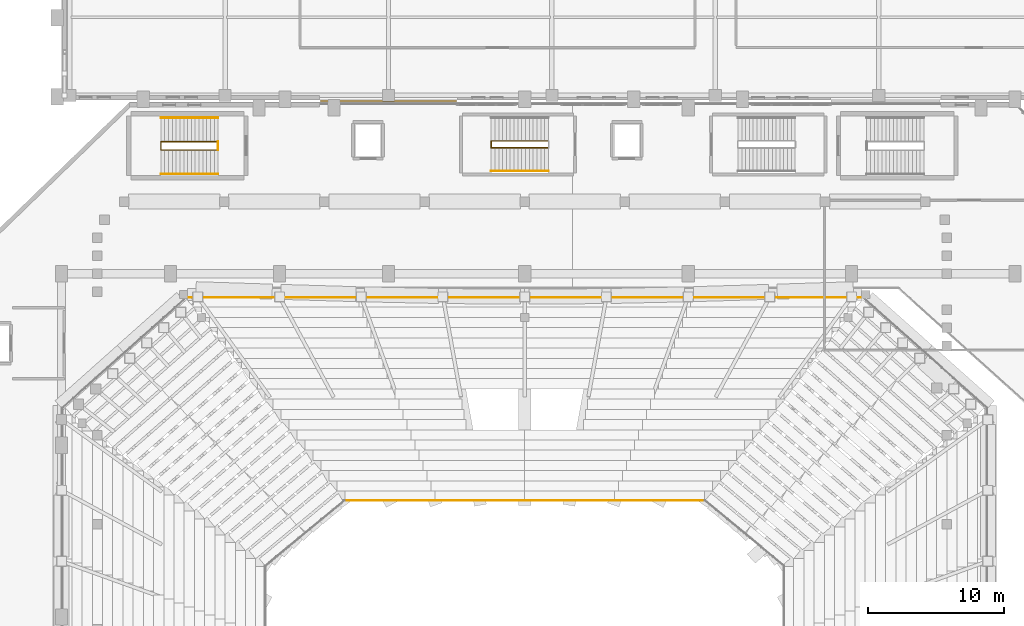
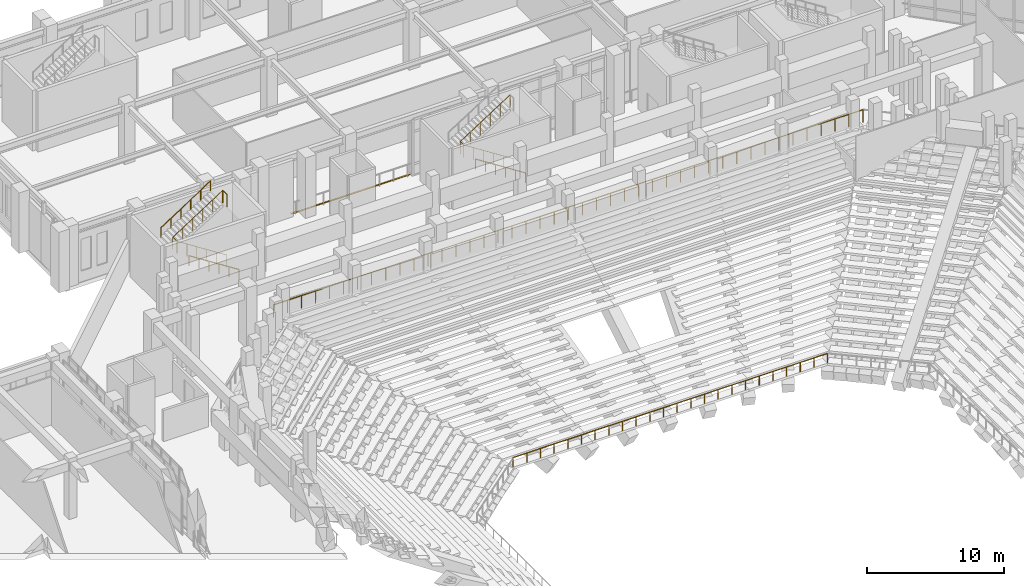
# One storey, part 150 of 159: 8 railings, 1 covering.
"""IFC4 building model written with IfcOpenShell, lengths in metres."""

from ifc_helpers import new_model, si_unit, derived_unit, direction, frame, origin, origin_2d, place, context, subcontext, project, spatial, polyline, circle, outline, extrude, material, layer, layer_set, type_object, element, save


model = new_model("IFC4")

# Units and contexts
model_context = context("Model", 3, precision=1e-05, world=origin(), true_north=direction((0.0, 1.0)))
body_context = subcontext(model_context, "Body", "Model", "MODEL_VIEW")
ifc_project = project(units=[si_unit("LENGTHUNIT", "METRE"), si_unit("AREAUNIT", "SQUARE_METRE"), si_unit("VOLUMEUNIT", "CUBIC_METRE"), si_unit("PLANEANGLEUNIT", "RADIAN"), si_unit("MASSUNIT", "GRAM", prefix="KILO"), derived_unit("THERMALTRANSMITTANCEUNIT", [(si_unit("MASSUNIT", "GRAM", prefix="KILO"), 1), (si_unit("TIMEUNIT", "SECOND"), -3), (si_unit("THERMODYNAMICTEMPERATUREUNIT", "KELVIN"), -1)])], contexts=[model_context])

# Site, building, storey
site_placement = place(None, origin())
site = spatial("IfcSite", under=ifc_project, at=site_placement, CompositionType="ELEMENT")
building_placement = place(site_placement, origin())
building = spatial("IfcBuilding", under=site, at=building_placement, Name="Valcora Ridge Arena", CompositionType="ELEMENT")
storey_placement = place(building_placement, frame((0.0, 0.0, 6.0)))
storey = spatial("IfcBuildingStorey", under=building, at=storey_placement, Name="L01", CompositionType="ELEMENT", Elevation=6.0)

# Covering
ifc_material_1 = material(Name="Steel ASTM A572 Grade 50", Category="steel")
ifc_layer = layer(ifc_material_1, 0.02001953125, Name="Steel ASTM A572 Grade 50")
ifc_layer_set = layer_set([ifc_layer], Name="Steel ASTM A572 Grade 50")
covering_type = type_object("IfcCoveringType", Name="TY-COVERING-COV-SJ-150", PredefinedType="FLOORING", material=ifc_layer_set)
covering_placement = place(storey_placement, frame((0.0, 0.0, -0.02001953125)))
element("IfcCovering", 1, at=covering_placement, inside=storey, type_object=covering_type, Name="COV-SJ-150 COV-SJ-0015", PredefinedType="FLOORING", context=body_context, shape_type="SweptSolid", body=[
    extrude(outline(polyline([(43.0, 108.199951171875), (53.0, 108.199951171875), (53.0, 108.35009765625), (43.0, 108.35009765625), (43.0, 108.199951171875)])), origin(), (0.0, 0.0, 1.0), 0.02001953125),
])

# Railings
ifc_material_2 = material(Name="Galvanized painted steel ASTM A500 Grade B", Category="steel")
railing_type_1 = type_object("IfcRailingType", Name="TY-RAILING-BAL-BOWL-850", PredefinedType="BALUSTRADE", material=ifc_material_2)
railing_1_placement = place(storey_placement, frame((71.25, 78.949951171875, -5.39990234375)))
element("IfcRailing", 2, at=railing_1_placement, inside=storey, type_object=railing_type_1, Name="BAL-BOWL-850 RAL-BW-0005", PredefinedType="BALUSTRADE", context=body_context, shape_type="SweptSolid", body=[
    extrude(circle(Radius=0.02392578125, at=origin_2d()), frame((0.0, 0.0, 0.826171875), z_axis=(-1.0, 0.0, 0.0), x_axis=(0.0, -1.0, 0.0)), (0.0, 0.0, 1.0), 26.5),
    extrude(circle(Radius=0.02099609375, at=origin_2d()), origin(), (0.0, 0.0, 1.0), 0.802001953125),
    extrude(circle(Radius=0.02099609375, at=origin_2d()), frame((-1.152099609375, 0.0, 0.0)), (0.0, 0.0, 1.0), 0.802001953125),
    extrude(circle(Radius=0.02099609375, at=origin_2d()), frame((-2.304443359375, 0.0, 0.0)), (0.0, 0.0, 1.0), 0.802001953125),
    extrude(circle(Radius=0.02099609375, at=origin_2d()), frame((-3.45654296875, 0.0, 0.0)), (0.0, 0.0, 1.0), 0.802001953125),
    extrude(circle(Radius=0.02099609375, at=origin_2d()), frame((-4.608642578125, 0.0, 0.0)), (0.0, 0.0, 1.0), 0.802001953125),
    extrude(circle(Radius=0.02099609375, at=origin_2d()), frame((-5.760986328125, 0.0, 0.0)), (0.0, 0.0, 1.0), 0.802001953125),
    extrude(circle(Radius=0.02099609375, at=origin_2d()), frame((-6.9130859375, 0.0, 0.0)), (0.0, 0.0, 1.0), 0.802001953125),
    extrude(circle(Radius=0.02099609375, at=origin_2d()), frame((-8.065185546875, 0.0, 0.0)), (0.0, 0.0, 1.0), 0.802001953125),
    extrude(circle(Radius=0.02099609375, at=origin_2d()), frame((-9.21728515625, 0.0, 0.0)), (0.0, 0.0, 1.0), 0.802001953125),
    extrude(circle(Radius=0.02099609375, at=origin_2d()), frame((-10.36962890625, 0.0, 0.0)), (0.0, 0.0, 1.0), 0.802001953125),
    extrude(circle(Radius=0.02099609375, at=origin_2d()), frame((-11.521728515625, 0.0, 0.0)), (0.0, 0.0, 1.0), 0.802001953125),
    extrude(circle(Radius=0.02099609375, at=origin_2d()), frame((-12.673828125, 0.0, 0.0)), (0.0, 0.0, 1.0), 0.802001953125),
    extrude(circle(Radius=0.02099609375, at=origin_2d()), frame((-13.826171875, 0.0, 0.0)), (0.0, 0.0, 1.0), 0.802001953125),
    extrude(circle(Radius=0.02099609375, at=origin_2d()), frame((-14.978271484375, 0.0, 0.0)), (0.0, 0.0, 1.0), 0.802001953125),
    extrude(circle(Radius=0.02099609375, at=origin_2d()), frame((-16.13037109375, 0.0, 0.0)), (0.0, 0.0, 1.0), 0.802001953125),
    extrude(circle(Radius=0.02099609375, at=origin_2d()), frame((-17.28271484375, 0.0, 0.0)), (0.0, 0.0, 1.0), 0.802001953125),
    extrude(circle(Radius=0.02099609375, at=origin_2d()), frame((-18.434814453125, 0.0, 0.0)), (0.0, 0.0, 1.0), 0.802001953125),
    extrude(circle(Radius=0.02099609375, at=origin_2d()), frame((-19.5869140625, 0.0, 0.0)), (0.0, 0.0, 1.0), 0.802001953125),
    extrude(circle(Radius=0.02099609375, at=origin_2d()), frame((-20.739013671875, 0.0, 0.0)), (0.0, 0.0, 1.0), 0.802001953125),
    extrude(circle(Radius=0.02099609375, at=origin_2d()), frame((-21.891357421875, 0.0, 0.0)), (0.0, 0.0, 1.0), 0.802001953125),
    extrude(circle(Radius=0.02099609375, at=origin_2d()), frame((-23.04345703125, 0.0, 0.0)), (0.0, 0.0, 1.0), 0.802001953125),
    extrude(circle(Radius=0.02099609375, at=origin_2d()), frame((-24.195556640625, 0.0, 0.0)), (0.0, 0.0, 1.0), 0.802001953125),
    extrude(circle(Radius=0.02099609375, at=origin_2d()), frame((-25.347900390625, 0.0, 0.0)), (0.0, 0.0, 1.0), 0.802001953125),
    extrude(circle(Radius=0.02099609375, at=origin_2d()), frame((-26.5, 0.0, 0.0)), (0.0, 0.0, 1.0), 0.802001953125),
])
railing_type_2 = type_object("IfcRailingType", Name="TY-RAILING-GRD-STAIR-1120", PredefinedType="GUARDRAIL", material=ifc_material_2)
railing_2_placement = place(storey_placement, frame((35.489990234375, 104.699951171875, 0.0)))
element("IfcRailing", 3, at=railing_2_placement, inside=storey, type_object=railing_type_2, Name="GRD-STAIR-1120 RAL-SG-0027", PredefinedType="GUARDRAIL", context=body_context, shape_type="SweptSolid", body=[
    extrude(circle(Radius=0.02392578125, at=origin_2d()), frame((0.0, 0.0, 1.09619140625), z_axis=(-0.841180064094, 0.0, 0.540755119968), x_axis=(0.0, -1.0, 0.0)), (0.0, 0.0, 1.0), 4.992919921875),
    extrude(circle(Radius=0.02392578125, at=origin_2d()), frame((-4.199951171875, 0.0, 3.7958984375), z_axis=(0.0, 1.0, 0.0), x_axis=(-1.0, 0.0, 0.0)), (0.0, 0.0, 1.0), 0.60009765625),
    extrude(circle(Radius=0.02392578125, at=origin_2d()), frame((-4.199951171875, 0.60009765625, 3.7958984375), z_axis=(0.841180064094, 0.0, 0.540755119968), x_axis=(0.0, 1.0, 0.0)), (0.0, 0.0, 1.0), 4.992919921875),
    extrude(circle(Radius=0.02099609375, at=origin_2d()), origin(), (0.0, 0.0, 1.0), 1.072021484375),
    extrude(circle(Radius=0.02099609375, at=origin_2d()), frame((-0.840087890625, 0.0, 0.5400390625)), (0.0, 0.0, 1.0), 1.072021484375),
    extrude(circle(Radius=0.02099609375, at=origin_2d()), frame((-1.679931640625, 0.0, 1.080078125)), (0.0, 0.0, 1.0), 1.072021484375),
    extrude(circle(Radius=0.02099609375, at=origin_2d()), frame((-2.52001953125, 0.0, 1.619873046875)), (0.0, 0.0, 1.0), 1.072021484375),
    extrude(circle(Radius=0.02099609375, at=origin_2d()), frame((-3.35986328125, 0.0, 2.159912109375)), (0.0, 0.0, 1.0), 1.072021484375),
    extrude(circle(Radius=0.02099609375, at=origin_2d()), frame((-4.199951171875, 0.0, 2.699951171875)), (0.0, 0.0, 1.0), 1.072021484375),
    extrude(circle(Radius=0.02099609375, at=origin_2d()), frame((-4.199951171875, 0.60009765625, 2.699951171875)), (0.0, 0.0, 1.0), 1.072021484375),
    extrude(circle(Radius=0.02099609375, at=origin_2d()), frame((-3.35986328125, 0.60009765625, 3.239990234375)), (0.0, 0.0, 1.0), 1.072021484375),
    extrude(circle(Radius=0.02099609375, at=origin_2d()), frame((-2.52001953125, 0.60009765625, 3.780029296875)), (0.0, 0.0, 1.0), 1.072021484375),
    extrude(circle(Radius=0.02099609375, at=origin_2d()), frame((-1.679931640625, 0.60009765625, 4.31982421875)), (0.0, 0.0, 1.0), 1.072021484375),
    extrude(circle(Radius=0.02099609375, at=origin_2d()), frame((-0.840087890625, 0.60009765625, 4.85986328125)), (0.0, 0.0, 1.0), 1.072021484375),
    extrude(circle(Radius=0.02099609375, at=origin_2d()), frame((0.0, 0.60009765625, 5.39990234375)), (0.0, 0.0, 1.0), 1.072021484375),
])
railing_3_placement = place(storey_placement, frame((35.489990234375, 104.699951171875, 5.39990234375)))
element("IfcRailing", 4, at=railing_3_placement, inside=storey, type_object=railing_type_2, Name="GRD-STAIR-1120 RAL-SG-0028", PredefinedType="GUARDRAIL", context=body_context, shape_type="SweptSolid", body=[
    extrude(circle(Radius=0.02392578125, at=origin_2d()), frame((0.0, 0.0, 1.09619140625), z_axis=(0.0, 1.0, 0.0), x_axis=(-1.0, 0.0, 0.0)), (0.0, 0.0, 1.0), 0.60009765625),
    extrude(circle(Radius=0.02099609375, at=origin_2d()), origin(), (0.0, 0.0, 1.0), 1.072021484375),
    extrude(circle(Radius=0.02099609375, at=origin_2d()), frame((0.0, 0.60009765625, 0.0)), (0.0, 0.0, 1.0), 1.072021484375),
])
railing_4_placement = place(storey_placement, frame((59.739990234375, 104.85009765625, 0.0)))
element("IfcRailing", 5, at=railing_4_placement, inside=storey, type_object=railing_type_2, Name="GRD-STAIR-1120 RAL-SG-0115", PredefinedType="GUARDRAIL", context=body_context, shape_type="SweptSolid", body=[
    extrude(circle(Radius=0.02392578125, at=origin_2d()), frame((0.0, 0.0, 1.09619140625), z_axis=(-0.841180064094, 0.0, 0.540755119968), x_axis=(0.0, -1.0, 0.0)), (0.0, 0.0, 1.0), 4.992919921875),
    extrude(circle(Radius=0.02392578125, at=origin_2d()), frame((-4.199951171875, 0.0, 3.7958984375), z_axis=(0.0, 1.0, 0.0), x_axis=(-1.0, 0.0, 0.0)), (0.0, 0.0, 1.0), 0.5),
    extrude(circle(Radius=0.02392578125, at=origin_2d()), frame((-4.199951171875, 0.5, 3.7958984375), z_axis=(0.841180064094, 0.0, 0.540755119968), x_axis=(0.0, 1.0, 0.0)), (0.0, 0.0, 1.0), 4.992919921875),
    extrude(circle(Radius=0.02099609375, at=origin_2d()), origin(), (0.0, 0.0, 1.0), 1.072021484375),
    extrude(circle(Radius=0.02099609375, at=origin_2d()), frame((-0.840087890625, 0.0, 0.5400390625)), (0.0, 0.0, 1.0), 1.072021484375),
    extrude(circle(Radius=0.02099609375, at=origin_2d()), frame((-1.679931640625, 0.0, 1.080078125)), (0.0, 0.0, 1.0), 1.072021484375),
    extrude(circle(Radius=0.02099609375, at=origin_2d()), frame((-2.52001953125, 0.0, 1.619873046875)), (0.0, 0.0, 1.0), 1.072021484375),
    extrude(circle(Radius=0.02099609375, at=origin_2d()), frame((-3.35986328125, 0.0, 2.159912109375)), (0.0, 0.0, 1.0), 1.072021484375),
    extrude(circle(Radius=0.02099609375, at=origin_2d()), frame((-4.199951171875, 0.0, 2.699951171875)), (0.0, 0.0, 1.0), 1.072021484375),
    extrude(circle(Radius=0.02099609375, at=origin_2d()), frame((-4.199951171875, 0.5, 2.699951171875)), (0.0, 0.0, 1.0), 1.072021484375),
    extrude(circle(Radius=0.02099609375, at=origin_2d()), frame((-3.35986328125, 0.5, 3.239990234375)), (0.0, 0.0, 1.0), 1.072021484375),
    extrude(circle(Radius=0.02099609375, at=origin_2d()), frame((-2.52001953125, 0.5, 3.780029296875)), (0.0, 0.0, 1.0), 1.072021484375),
    extrude(circle(Radius=0.02099609375, at=origin_2d()), frame((-1.679931640625, 0.5, 4.31982421875)), (0.0, 0.0, 1.0), 1.072021484375),
    extrude(circle(Radius=0.02099609375, at=origin_2d()), frame((-0.840087890625, 0.5, 4.85986328125)), (0.0, 0.0, 1.0), 1.072021484375),
    extrude(circle(Radius=0.02099609375, at=origin_2d()), frame((0.0, 0.5, 5.39990234375)), (0.0, 0.0, 1.0), 1.072021484375),
])
railing_type_3 = type_object("IfcRailingType", Name="TY-RAILING-GRD-VOID-1120", PredefinedType="GUARDRAIL", material=ifc_material_2)
railing_5_placement = place(storey_placement, frame((82.85009765625, 93.85009765625, 2.9599609375)))
element("IfcRailing", 6, at=railing_5_placement, inside=storey, type_object=railing_type_3, Name="GRD-VOID-1120 RAL-BW-0013", PredefinedType="GUARDRAIL", context=body_context, shape_type="SweptSolid", body=[
    extrude(circle(Radius=0.02392578125, at=origin_2d()), frame((0.0, 0.0, 1.09619140625), z_axis=(-1.0, 0.0, 0.0), x_axis=(0.0, -1.0, 0.0)), (0.0, 0.0, 1.0), 49.7001953125),
    extrude(circle(Radius=0.02099609375, at=origin_2d()), origin(), (0.0, 0.0, 1.0), 1.072021484375),
    extrude(circle(Radius=0.02099609375, at=origin_2d()), frame((-1.183349609375, 0.0, 0.0)), (0.0, 0.0, 1.0), 1.072021484375),
    extrude(circle(Radius=0.02099609375, at=origin_2d()), frame((-2.36669921875, 0.0, 0.0)), (0.0, 0.0, 1.0), 1.072021484375),
    extrude(circle(Radius=0.02099609375, at=origin_2d()), frame((-3.550048828125, 0.0, 0.0)), (0.0, 0.0, 1.0), 1.072021484375),
    extrude(circle(Radius=0.02099609375, at=origin_2d()), frame((-4.7333984375, 0.0, 0.0)), (0.0, 0.0, 1.0), 1.072021484375),
    extrude(circle(Radius=0.02099609375, at=origin_2d()), frame((-5.916748046875, 0.0, 0.0)), (0.0, 0.0, 1.0), 1.072021484375),
    extrude(circle(Radius=0.02099609375, at=origin_2d()), frame((-7.10009765625, 0.0, 0.0)), (0.0, 0.0, 1.0), 1.072021484375),
    extrude(circle(Radius=0.02099609375, at=origin_2d()), frame((-8.283447265625, 0.0, 0.0)), (0.0, 0.0, 1.0), 1.072021484375),
    extrude(circle(Radius=0.02099609375, at=origin_2d()), frame((-9.466796875, 0.0, 0.0)), (0.0, 0.0, 1.0), 1.072021484375),
    extrude(circle(Radius=0.02099609375, at=origin_2d()), frame((-10.650146484375, 0.0, 0.0)), (0.0, 0.0, 1.0), 1.072021484375),
    extrude(circle(Radius=0.02099609375, at=origin_2d()), frame((-11.83349609375, 0.0, 0.0)), (0.0, 0.0, 1.0), 1.072021484375),
    extrude(circle(Radius=0.02099609375, at=origin_2d()), frame((-13.0166015625, 0.0, 0.0)), (0.0, 0.0, 1.0), 1.072021484375),
    extrude(circle(Radius=0.02099609375, at=origin_2d()), frame((-14.199951171875, 0.0, 0.0)), (0.0, 0.0, 1.0), 1.072021484375),
    extrude(circle(Radius=0.02099609375, at=origin_2d()), frame((-15.38330078125, 0.0, 0.0)), (0.0, 0.0, 1.0), 1.072021484375),
    extrude(circle(Radius=0.02099609375, at=origin_2d()), frame((-16.566650390625, 0.0, 0.0)), (0.0, 0.0, 1.0), 1.072021484375),
    extrude(circle(Radius=0.02099609375, at=origin_2d()), frame((-17.75, 0.0, 0.0)), (0.0, 0.0, 1.0), 1.072021484375),
    extrude(circle(Radius=0.02099609375, at=origin_2d()), frame((-18.933349609375, 0.0, 0.0)), (0.0, 0.0, 1.0), 1.072021484375),
    extrude(circle(Radius=0.02099609375, at=origin_2d()), frame((-20.11669921875, 0.0, 0.0)), (0.0, 0.0, 1.0), 1.072021484375),
    extrude(circle(Radius=0.02099609375, at=origin_2d()), frame((-21.300048828125, 0.0, 0.0)), (0.0, 0.0, 1.0), 1.072021484375),
    extrude(circle(Radius=0.02099609375, at=origin_2d()), frame((-22.4833984375, 0.0, 0.0)), (0.0, 0.0, 1.0), 1.072021484375),
    extrude(circle(Radius=0.02099609375, at=origin_2d()), frame((-23.666748046875, 0.0, 0.0)), (0.0, 0.0, 1.0), 1.072021484375),
    extrude(circle(Radius=0.02099609375, at=origin_2d()), frame((-24.85009765625, 0.0, 0.0)), (0.0, 0.0, 1.0), 1.072021484375),
    extrude(circle(Radius=0.02099609375, at=origin_2d()), frame((-26.033447265625, 0.0, 0.0)), (0.0, 0.0, 1.0), 1.072021484375),
    extrude(circle(Radius=0.02099609375, at=origin_2d()), frame((-27.216796875, 0.0, 0.0)), (0.0, 0.0, 1.0), 1.072021484375),
    extrude(circle(Radius=0.02099609375, at=origin_2d()), frame((-28.400146484375, 0.0, 0.0)), (0.0, 0.0, 1.0), 1.072021484375),
    extrude(circle(Radius=0.02099609375, at=origin_2d()), frame((-29.58349609375, 0.0, 0.0)), (0.0, 0.0, 1.0), 1.072021484375),
    extrude(circle(Radius=0.02099609375, at=origin_2d()), frame((-30.766845703125, 0.0, 0.0)), (0.0, 0.0, 1.0), 1.072021484375),
    extrude(circle(Radius=0.02099609375, at=origin_2d()), frame((-31.9501953125, 0.0, 0.0)), (0.0, 0.0, 1.0), 1.072021484375),
    extrude(circle(Radius=0.02099609375, at=origin_2d()), frame((-33.133544921875, 0.0, 0.0)), (0.0, 0.0, 1.0), 1.072021484375),
    extrude(circle(Radius=0.02099609375, at=origin_2d()), frame((-34.31689453125, 0.0, 0.0)), (0.0, 0.0, 1.0), 1.072021484375),
    extrude(circle(Radius=0.02099609375, at=origin_2d()), frame((-35.500244140625, 0.0, 0.0)), (0.0, 0.0, 1.0), 1.072021484375),
    extrude(circle(Radius=0.02099609375, at=origin_2d()), frame((-36.68359375, 0.0, 0.0)), (0.0, 0.0, 1.0), 1.072021484375),
    extrude(circle(Radius=0.02099609375, at=origin_2d()), frame((-37.86669921875, 0.0, 0.0)), (0.0, 0.0, 1.0), 1.072021484375),
    extrude(circle(Radius=0.02099609375, at=origin_2d()), frame((-39.050048828125, 0.0, 0.0)), (0.0, 0.0, 1.0), 1.072021484375),
    extrude(circle(Radius=0.02099609375, at=origin_2d()), frame((-40.2333984375, 0.0, 0.0)), (0.0, 0.0, 1.0), 1.072021484375),
    extrude(circle(Radius=0.02099609375, at=origin_2d()), frame((-41.416748046875, 0.0, 0.0)), (0.0, 0.0, 1.0), 1.072021484375),
    extrude(circle(Radius=0.02099609375, at=origin_2d()), frame((-42.60009765625, 0.0, 0.0)), (0.0, 0.0, 1.0), 1.072021484375),
    extrude(circle(Radius=0.02099609375, at=origin_2d()), frame((-43.783447265625, 0.0, 0.0)), (0.0, 0.0, 1.0), 1.072021484375),
    extrude(circle(Radius=0.02099609375, at=origin_2d()), frame((-44.966796875, 0.0, 0.0)), (0.0, 0.0, 1.0), 1.072021484375),
    extrude(circle(Radius=0.02099609375, at=origin_2d()), frame((-46.150146484375, 0.0, 0.0)), (0.0, 0.0, 1.0), 1.072021484375),
    extrude(circle(Radius=0.02099609375, at=origin_2d()), frame((-47.33349609375, 0.0, 0.0)), (0.0, 0.0, 1.0), 1.072021484375),
    extrude(circle(Radius=0.02099609375, at=origin_2d()), frame((-48.516845703125, 0.0, 0.0)), (0.0, 0.0, 1.0), 1.072021484375),
    extrude(circle(Radius=0.02099609375, at=origin_2d()), frame((-49.7001953125, 0.0, 0.0)), (0.0, 0.0, 1.0), 1.072021484375),
])
railing_type_4 = type_object("IfcRailingType", Name="TY-RAILING-HR-STAIR-900", PredefinedType="HANDRAIL", material=ifc_material_2)
railing_6_placement = place(storey_placement, frame((35.489990234375, 102.93994140625, 0.0)))
element("IfcRailing", 7, at=railing_6_placement, inside=storey, type_object=railing_type_4, Name="HR-STAIR-900 RAL-SH-0027", PredefinedType="HANDRAIL", context=body_context, shape_type="SweptSolid", body=[
    extrude(circle(Radius=0.02392578125, at=origin_2d()), frame((0.0, 0.0, 0.8759765625), z_axis=(-0.841180064094, 0.0, 0.540755119968), x_axis=(0.0, -1.0, 0.0)), (0.0, 0.0, 1.0), 4.992919921875),
    extrude(circle(Radius=0.02099609375, at=origin_2d()), origin(), (0.0, 0.0, 1.0), 0.851806640625),
    extrude(circle(Radius=0.02099609375, at=origin_2d()), frame((-0.840087890625, 0.0, 0.5400390625)), (0.0, 0.0, 1.0), 0.851806640625),
    extrude(circle(Radius=0.02099609375, at=origin_2d()), frame((-1.679931640625, 0.0, 1.080078125)), (0.0, 0.0, 1.0), 0.851806640625),
    extrude(circle(Radius=0.02099609375, at=origin_2d()), frame((-2.52001953125, 0.0, 1.619873046875)), (0.0, 0.0, 1.0), 0.851806640625),
    extrude(circle(Radius=0.02099609375, at=origin_2d()), frame((-3.35986328125, 0.0, 2.159912109375)), (0.0, 0.0, 1.0), 0.851806640625),
    extrude(circle(Radius=0.02099609375, at=origin_2d()), frame((-4.199951171875, 0.0, 2.699951171875)), (0.0, 0.0, 1.0), 0.851806640625),
])
railing_7_placement = place(storey_placement, frame((31.2900390625, 107.06005859375, 2.699951171875)))
element("IfcRailing", 8, at=railing_7_placement, inside=storey, type_object=railing_type_4, Name="HR-STAIR-900 RAL-SH-0028", PredefinedType="HANDRAIL", context=body_context, shape_type="SweptSolid", body=[
    extrude(circle(Radius=0.02392578125, at=origin_2d()), frame((0.0, 0.0, 0.8759765625), z_axis=(0.841180064094, 0.0, 0.540755119968), x_axis=(0.0, 1.0, 0.0)), (0.0, 0.0, 1.0), 4.992919921875),
    extrude(circle(Radius=0.02099609375, at=origin_2d()), origin(), (0.0, 0.0, 1.0), 0.851806640625),
    extrude(circle(Radius=0.02099609375, at=origin_2d()), frame((0.840087890625, 0.0, 0.5400390625)), (0.0, 0.0, 1.0), 0.851806640625),
    extrude(circle(Radius=0.02099609375, at=origin_2d()), frame((1.679931640625, 0.0, 1.080078125)), (0.0, 0.0, 1.0), 0.851806640625),
    extrude(circle(Radius=0.02099609375, at=origin_2d()), frame((2.52001953125, 0.0, 1.619873046875)), (0.0, 0.0, 1.0), 0.851806640625),
    extrude(circle(Radius=0.02099609375, at=origin_2d()), frame((3.35986328125, 0.0, 2.159912109375)), (0.0, 0.0, 1.0), 0.851806640625),
    extrude(circle(Radius=0.02099609375, at=origin_2d()), frame((4.199951171875, 0.0, 2.699951171875)), (0.0, 0.0, 1.0), 0.851806640625),
])
railing_8_placement = place(storey_placement, frame((59.739990234375, 103.139892578125, 0.0)))
element("IfcRailing", 9, at=railing_8_placement, inside=storey, type_object=railing_type_4, Name="HR-STAIR-900 RAL-SH-0115", PredefinedType="HANDRAIL", context=body_context, shape_type="SweptSolid", body=[
    extrude(circle(Radius=0.02392578125, at=origin_2d()), frame((0.0, 0.0, 0.8759765625), z_axis=(-0.841180064094, 0.0, 0.540755119968), x_axis=(0.0, -1.0, 0.0)), (0.0, 0.0, 1.0), 4.992919921875),
    extrude(circle(Radius=0.02099609375, at=origin_2d()), origin(), (0.0, 0.0, 1.0), 0.851806640625),
    extrude(circle(Radius=0.02099609375, at=origin_2d()), frame((-0.840087890625, 0.0, 0.5400390625)), (0.0, 0.0, 1.0), 0.851806640625),
    extrude(circle(Radius=0.02099609375, at=origin_2d()), frame((-1.679931640625, 0.0, 1.080078125)), (0.0, 0.0, 1.0), 0.851806640625),
    extrude(circle(Radius=0.02099609375, at=origin_2d()), frame((-2.52001953125, 0.0, 1.619873046875)), (0.0, 0.0, 1.0), 0.851806640625),
    extrude(circle(Radius=0.02099609375, at=origin_2d()), frame((-3.35986328125, 0.0, 2.159912109375)), (0.0, 0.0, 1.0), 0.851806640625),
    extrude(circle(Radius=0.02099609375, at=origin_2d()), frame((-4.199951171875, 0.0, 2.699951171875)), (0.0, 0.0, 1.0), 0.851806640625),
])

save(model, "model.ifc")
